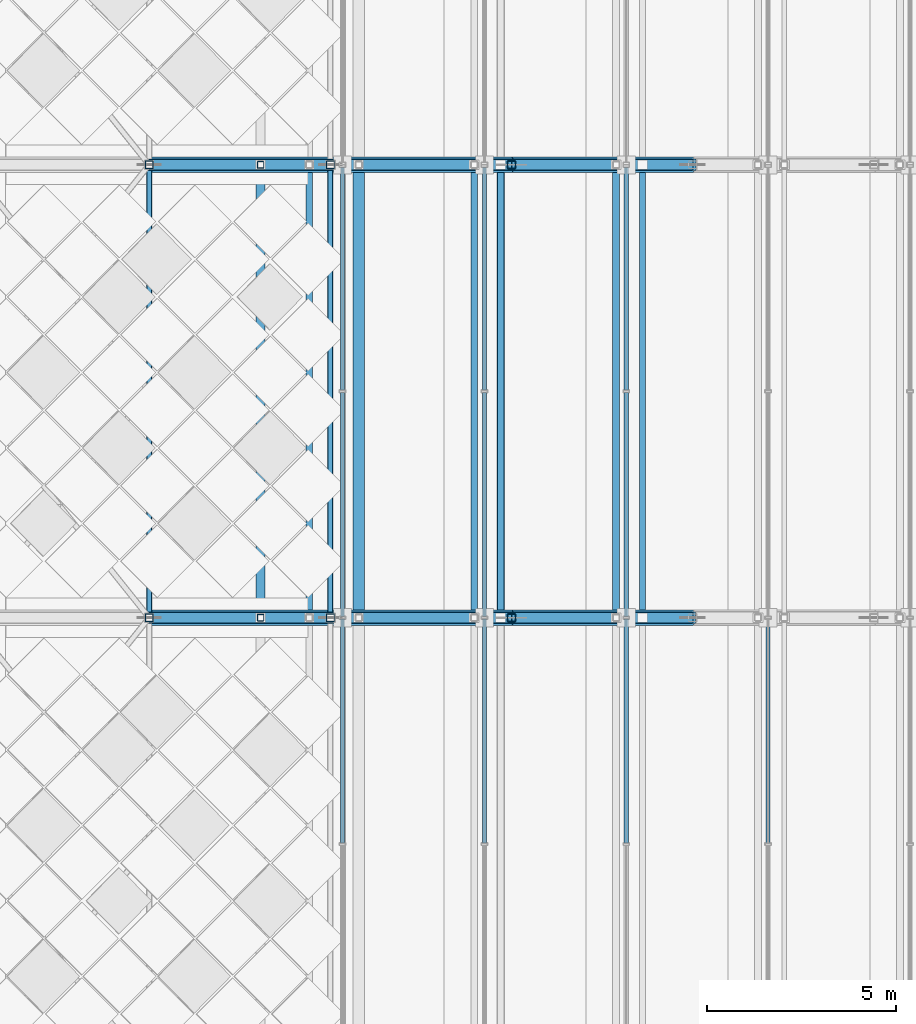
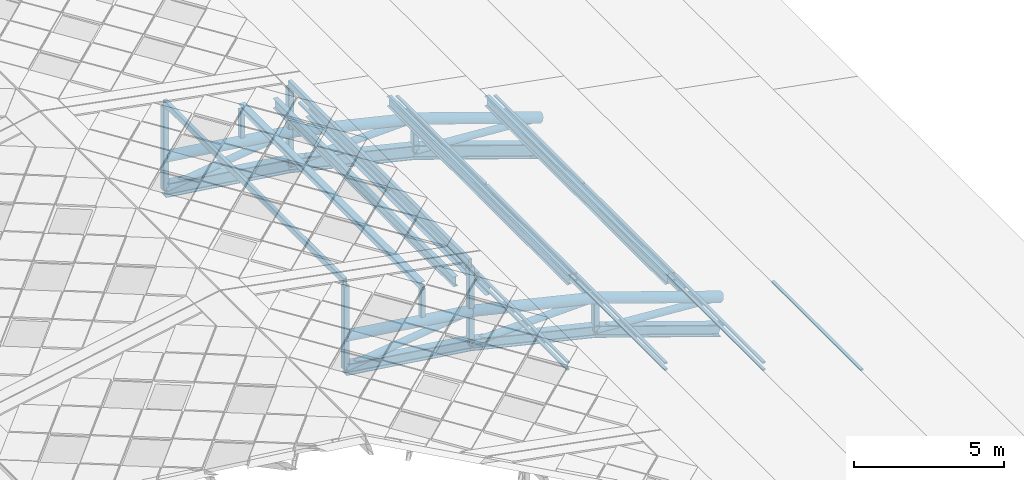
# One storey, part 20 of 117: 54 members, 4 elements without a shape of their own.
"""IFC4 building model written with IfcOpenShell, lengths in metres."""

from ifc_helpers import new_model, si_unit, direction, frame, origin, origin_2d, place, context, subcontext, project, spatial, hollow_rectangle, hollow_circle, i_section, extrude, material, material_profile, profile_set, type_object, element, aggregate, save


model = new_model("IFC4")

# Units and contexts
model_context = context("Model", 3, precision=1e-05, world=origin(), true_north=direction((0.0, 1.0)))
body_context = subcontext(model_context, "Body", "Model", "MODEL_VIEW")
ifc_project = project(units=[si_unit("LENGTHUNIT", "METRE"), si_unit("AREAUNIT", "SQUARE_METRE"), si_unit("VOLUMEUNIT", "CUBIC_METRE"), si_unit("PLANEANGLEUNIT", "RADIAN"), si_unit("MASSUNIT", "GRAM", prefix="KILO")], contexts=[model_context])

# Site, building, storey
site_placement = place(None, origin())
site = spatial("IfcSite", under=ifc_project, at=site_placement, CompositionType="ELEMENT")
building_placement = place(site_placement, origin())
building = spatial("IfcBuilding", under=site, at=building_placement, Name="Merenkruunu Market Hall", CompositionType="ELEMENT")
storey_placement = place(building_placement, frame((0.0, 0.0, 22.800048828125)))
storey = spatial("IfcBuildingStorey", under=building, at=storey_placement, Name="RF", CompositionType="ELEMENT", Elevation=22.800048828125)

# Members
ifc_material_1 = material(Name="Steel S355ML", Category="steel")
ifc_material_profile_1 = material_profile(ifc_material_1, hollow_circle(Radius=0.203125, WallThickness=0.01611328125, at=origin_2d()), Name="CHS 406.4x16")
ifc_profile_set_1 = profile_set([ifc_material_profile_1], Name="Steel S355ML")
member_type_1 = type_object("IfcMemberType", Name="Arch Truss Chord TC02", PredefinedType="CHORD", material=ifc_profile_set_1)
member_1_placement = place(storey_placement, frame((33.60009765625, 51.60009765625, -1.66796875), z_axis=(0.99033759622, 0.0, -0.138677487406), x_axis=(0.0, 1.0, 0.0)))
element("IfcMember", 1, at=member_1_placement, inside=storey, type_object=member_type_1, Name="TRUSS-AT-4-TOP-08", PredefinedType="CHORD", context=body_context, shape_type="SweptSolid", body=[
    extrude(hollow_circle(Radius=0.203125, WallThickness=0.01611328125, at=origin_2d()), origin(), (0.0, 0.0, 1.0), 4.8466796875),
])
member_2_placement = place(storey_placement, frame((38.39990234375, 51.60009765625, -2.340087890625), z_axis=(0.972941974064, 0.0, -0.231049594471), x_axis=(0.0, 1.0, 0.0)))
element("IfcMember", 2, at=member_2_placement, inside=storey, type_object=member_type_1, Name="TRUSS-AT-4-TOP-09", PredefinedType="CHORD", context=body_context, shape_type="SweptSolid", body=[
    extrude(hollow_circle(Radius=0.203125, WallThickness=0.01611328125, at=origin_2d()), origin(), (0.0, 0.0, 1.0), 4.93359375),
])
member_3_placement = place(storey_placement, frame((43.199951171875, 51.60009765625, -3.47998046875), z_axis=(0.946224865418, 0.0, -0.323509666107), x_axis=(0.0, 1.0, 0.0)))
element("IfcMember", 3, at=member_3_placement, inside=storey, type_object=member_type_1, Name="TRUSS-AT-4-TOP-10", PredefinedType="CHORD", context=body_context, shape_type="SweptSolid", body=[
    extrude(hollow_circle(Radius=0.203125, WallThickness=0.01611328125, at=origin_2d()), origin(), (0.0, 0.0, 1.0), 5.07275390625),
])
member_4_placement = place(storey_placement, frame((33.60009765625, 63.60009765625, -1.66796875), z_axis=(0.99033759622, 0.0, -0.138677487406), x_axis=(0.0, 1.0, 0.0)))
element("IfcMember", 4, at=member_4_placement, inside=storey, type_object=member_type_1, Name="TRUSS-AT-5-TOP-08", PredefinedType="CHORD", context=body_context, shape_type="SweptSolid", body=[
    extrude(hollow_circle(Radius=0.203125, WallThickness=0.01611328125, at=origin_2d()), origin(), (0.0, 0.0, 1.0), 4.8466796875),
])
member_5_placement = place(storey_placement, frame((38.39990234375, 63.60009765625, -2.340087890625), z_axis=(0.972941974064, 0.0, -0.231049594471), x_axis=(0.0, 1.0, 0.0)))
element("IfcMember", 5, at=member_5_placement, inside=storey, type_object=member_type_1, Name="TRUSS-AT-5-TOP-09", PredefinedType="CHORD", context=body_context, shape_type="SweptSolid", body=[
    extrude(hollow_circle(Radius=0.203125, WallThickness=0.01611328125, at=origin_2d()), origin(), (0.0, 0.0, 1.0), 4.93359375),
])
member_6_placement = place(storey_placement, frame((43.199951171875, 63.60009765625, -3.47998046875), z_axis=(0.946224865418, 0.0, -0.323509666107), x_axis=(0.0, 1.0, 0.0)))
element("IfcMember", 6, at=member_6_placement, inside=storey, type_object=member_type_1, Name="TRUSS-AT-5-TOP-10", PredefinedType="CHORD", context=body_context, shape_type="SweptSolid", body=[
    extrude(hollow_circle(Radius=0.203125, WallThickness=0.01611328125, at=origin_2d()), origin(), (0.0, 0.0, 1.0), 5.07275390625),
])
ifc_material_profile_2 = material_profile(ifc_material_1, i_section(OverallWidth=0.300048828125, OverallDepth=0.550048828125, WebThickness=0.014892578125, FlangeThickness=0.029052734375, FilletRadius=0.027099609375, at=origin_2d()), Name="HEB 550")
ifc_profile_set_2 = profile_set([ifc_material_profile_2], Name="Steel S355ML")
member_type_2 = type_object("IfcMemberType", Name="Arch Truss Chord TC03", PredefinedType="CHORD", material=ifc_profile_set_2)
member_7_placement = place(storey_placement, frame((33.60009765625, 63.60009765625, -2.968017578125), z_axis=(0.99033759622, 0.0, -0.138677487406), x_axis=(0.0, 1.0, 0.0)))
element("IfcMember", 7, at=member_7_placement, inside=storey, type_object=member_type_2, Name="TRUSS-AT-5-BOT-08", PredefinedType="CHORD", context=body_context, shape_type="SweptSolid", body=[
    extrude(i_section(OverallWidth=0.300048828125, OverallDepth=0.550048828125, WebThickness=0.014892578125, FlangeThickness=0.029052734375, FilletRadius=0.027099609375, at=origin_2d()), origin(), (0.0, 0.0, 1.0), 4.8466796875),
])
member_8_placement = place(storey_placement, frame((38.39990234375, 63.60009765625, -3.64013671875), z_axis=(0.972941974064, 0.0, -0.231049594471), x_axis=(0.0, 1.0, 0.0)))
element("IfcMember", 8, at=member_8_placement, inside=storey, type_object=member_type_2, Name="TRUSS-AT-5-BOT-09", PredefinedType="CHORD", context=body_context, shape_type="SweptSolid", body=[
    extrude(i_section(OverallWidth=0.300048828125, OverallDepth=0.550048828125, WebThickness=0.014892578125, FlangeThickness=0.029052734375, FilletRadius=0.027099609375, at=origin_2d()), origin(), (0.0, 0.0, 1.0), 4.93359375),
])
member_9_placement = place(storey_placement, frame((43.199951171875, 63.60009765625, -4.780029296875), z_axis=(0.946224865418, 0.0, -0.323509666107), x_axis=(0.0, 1.0, 0.0)))
element("IfcMember", 9, at=member_9_placement, inside=storey, type_object=member_type_2, Name="TRUSS-AT-5-BOT-10", PredefinedType="CHORD", context=body_context, shape_type="SweptSolid", body=[
    extrude(i_section(OverallWidth=0.300048828125, OverallDepth=0.550048828125, WebThickness=0.014892578125, FlangeThickness=0.029052734375, FilletRadius=0.027099609375, at=origin_2d()), origin(), (0.0, 0.0, 1.0), 5.07275390625),
])
ifc_material_profile_3 = material_profile(ifc_material_1, i_section(OverallWidth=0.300048828125, OverallDepth=0.449951171875, WebThickness=0.013916015625, FlangeThickness=0.02587890625, FilletRadius=0.027099609375, at=origin_2d()), Name="HEB 450")
ifc_profile_set_3 = profile_set([ifc_material_profile_3], Name="Steel S355ML")
member_type_3 = type_object("IfcMemberType", Name="Arch Truss Chord TC04", PredefinedType="CHORD", material=ifc_profile_set_3)
member_10_placement = place(storey_placement, frame((33.60009765625, 51.60009765625, -2.968017578125), z_axis=(0.99033759622, 0.0, -0.138677487406), x_axis=(0.0, 1.0, 0.0)))
element("IfcMember", 10, at=member_10_placement, inside=storey, type_object=member_type_3, Name="TRUSS-AT-4-BOT-08", PredefinedType="CHORD", context=body_context, shape_type="SweptSolid", body=[
    extrude(i_section(OverallWidth=0.300048828125, OverallDepth=0.449951171875, WebThickness=0.013916015625, FlangeThickness=0.02587890625, FilletRadius=0.027099609375, at=origin_2d()), origin(), (0.0, 0.0, 1.0), 4.8466796875),
])
member_11_placement = place(storey_placement, frame((38.39990234375, 51.60009765625, -3.64013671875), z_axis=(0.972941974064, 0.0, -0.231049594471), x_axis=(0.0, 1.0, 0.0)))
element("IfcMember", 11, at=member_11_placement, inside=storey, type_object=member_type_3, Name="TRUSS-AT-4-BOT-09", PredefinedType="CHORD", context=body_context, shape_type="SweptSolid", body=[
    extrude(i_section(OverallWidth=0.300048828125, OverallDepth=0.449951171875, WebThickness=0.013916015625, FlangeThickness=0.02587890625, FilletRadius=0.027099609375, at=origin_2d()), origin(), (0.0, 0.0, 1.0), 4.93359375),
])
member_12_placement = place(storey_placement, frame((43.199951171875, 51.60009765625, -4.780029296875), z_axis=(0.946224865418, 0.0, -0.323509666107), x_axis=(0.0, 1.0, 0.0)))
element("IfcMember", 12, at=member_12_placement, inside=storey, type_object=member_type_3, Name="TRUSS-AT-4-BOT-10", PredefinedType="CHORD", context=body_context, shape_type="SweptSolid", body=[
    extrude(i_section(OverallWidth=0.300048828125, OverallDepth=0.449951171875, WebThickness=0.013916015625, FlangeThickness=0.02587890625, FilletRadius=0.027099609375, at=origin_2d()), origin(), (0.0, 0.0, 1.0), 5.07275390625),
])

# Curtain wall, member
ifc_material_2 = material(Name="Powder-coated aluminium", Category="aluminium")
curtain_wall_type = type_object("IfcCurtainWallType", Name="Clerestory Curtain Band CL05", PredefinedType="USERDEFINED", material=ifc_material_2)
curtain_wall_1_placement = place(storey_placement, origin())
curtain_wall_1 = element("IfcCurtainWall", 13, at=curtain_wall_1_placement, inside=storey, type_object=curtain_wall_type, Name="CW-RF-CWM04-092", ObjectType="CLERESTORY_BAND", PredefinedType="USERDEFINED")
ifc_material_profile_4 = material_profile(ifc_material_2, hollow_rectangle(XDim=0.06005859375, YDim=0.110107421875, WallThickness=0.00390625, at=origin_2d()), Name="ALU 60x110x4")
ifc_profile_set_4 = profile_set([ifc_material_profile_4], Name="Powder-coated aluminium")
member_type_4 = type_object("IfcMemberType", Name="Curtain Wall Transom CWT03", PredefinedType="USERDEFINED", material=ifc_profile_set_4)
member_13_placement = place(storey_placement, frame((50.0, 51.56494140625, -5.172119140625), z_axis=(0.0, -1.0, 0.0), x_axis=(0.0, 0.0, 1.0)))
member_13 = element("IfcMember", 14, at=member_13_placement, type_object=member_type_4, Name="CL05 transom 3.1", ObjectType="TRANSOM", PredefinedType="USERDEFINED", context=body_context, shape_type="SweptSolid", body=[
    extrude(hollow_rectangle(XDim=0.06005859375, YDim=0.110107421875, WallThickness=0.00390625, at=origin_2d()), origin(), (0.0, 0.0, 1.0), 5.929931640625),
])
aggregate(curtain_wall_1, [member_13])

# Curtain wall, members
curtain_wall_2_placement = place(storey_placement, origin())
curtain_wall_2 = element("IfcCurtainWall", 15, at=curtain_wall_2_placement, inside=storey, type_object=curtain_wall_type, Name="CW-RF-CWM04-100", ObjectType="CLERESTORY_BAND", PredefinedType="USERDEFINED")
member_14_placement = place(storey_placement, frame((46.239990234375, 63.530029296875, -3.85205078125), z_axis=(0.0, -1.0, 0.0), x_axis=(0.0, 0.0, 1.0)))
member_14 = element("IfcMember", 16, at=member_14_placement, type_object=member_type_4, Name="CL05 transom 1.1", ObjectType="TRANSOM", PredefinedType="USERDEFINED", context=body_context, shape_type="SweptSolid", body=[
    extrude(hollow_rectangle(XDim=0.06005859375, YDim=0.110107421875, WallThickness=0.00390625, at=origin_2d()), origin(), (0.0, 0.0, 1.0), 5.89501953125),
])
member_15_placement = place(storey_placement, frame((46.239990234375, 63.530029296875, -3.56396484375), z_axis=(0.0, -1.0, 0.0), x_axis=(0.0, 0.0, 1.0)))
member_15 = element("IfcMember", 17, at=member_15_placement, type_object=member_type_4, Name="CL05 transom 1.2", ObjectType="TRANSOM", PredefinedType="USERDEFINED", context=body_context, shape_type="SweptSolid", body=[
    extrude(hollow_rectangle(XDim=0.06005859375, YDim=0.110107421875, WallThickness=0.00390625, at=origin_2d()), origin(), (0.0, 0.0, 1.0), 5.89501953125),
])
member_16_placement = place(storey_placement, frame((46.239990234375, 57.56494140625, -3.85205078125), z_axis=(0.0, -1.0, 0.0), x_axis=(0.0, 0.0, 1.0)))
member_16 = element("IfcMember", 18, at=member_16_placement, type_object=member_type_4, Name="CL05 transom 2.1", ObjectType="TRANSOM", PredefinedType="USERDEFINED", context=body_context, shape_type="SweptSolid", body=[
    extrude(hollow_rectangle(XDim=0.06005859375, YDim=0.110107421875, WallThickness=0.00390625, at=origin_2d()), origin(), (0.0, 0.0, 1.0), 5.929931640625),
])
member_17_placement = place(storey_placement, frame((46.239990234375, 57.56494140625, -3.56396484375), z_axis=(0.0, -1.0, 0.0), x_axis=(0.0, 0.0, 1.0)))
member_17 = element("IfcMember", 19, at=member_17_placement, type_object=member_type_4, Name="CL05 transom 2.2", ObjectType="TRANSOM", PredefinedType="USERDEFINED", context=body_context, shape_type="SweptSolid", body=[
    extrude(hollow_rectangle(XDim=0.06005859375, YDim=0.110107421875, WallThickness=0.00390625, at=origin_2d()), origin(), (0.0, 0.0, 1.0), 5.929931640625),
])
member_18_placement = place(storey_placement, frame((46.239990234375, 51.56494140625, -3.85205078125), z_axis=(0.0, -1.0, 0.0), x_axis=(0.0, 0.0, 1.0)))
member_18 = element("IfcMember", 20, at=member_18_placement, type_object=member_type_4, Name="CL05 transom 3.1", ObjectType="TRANSOM", PredefinedType="USERDEFINED", context=body_context, shape_type="SweptSolid", body=[
    extrude(hollow_rectangle(XDim=0.06005859375, YDim=0.110107421875, WallThickness=0.00390625, at=origin_2d()), origin(), (0.0, 0.0, 1.0), 5.929931640625),
])
member_19_placement = place(storey_placement, frame((46.239990234375, 51.56494140625, -3.56396484375), z_axis=(0.0, -1.0, 0.0), x_axis=(0.0, 0.0, 1.0)))
member_19 = element("IfcMember", 21, at=member_19_placement, type_object=member_type_4, Name="CL05 transom 3.2", ObjectType="TRANSOM", PredefinedType="USERDEFINED", context=body_context, shape_type="SweptSolid", body=[
    extrude(hollow_rectangle(XDim=0.06005859375, YDim=0.110107421875, WallThickness=0.00390625, at=origin_2d()), origin(), (0.0, 0.0, 1.0), 5.929931640625),
])
aggregate(curtain_wall_2, [member_14, member_15, member_16, member_17, member_18, member_19])

curtain_wall_3_placement = place(storey_placement, origin())
curtain_wall_3 = element("IfcCurtainWall", 22, at=curtain_wall_3_placement, inside=storey, type_object=curtain_wall_type, Name="CW-RF-CWM04-108", ObjectType="CLERESTORY_BAND", PredefinedType="USERDEFINED")
member_20_placement = place(storey_placement, frame((42.47998046875, 63.530029296875, -2.531982421875), z_axis=(0.0, -1.0, 0.0), x_axis=(0.0, 0.0, 1.0)))
member_20 = element("IfcMember", 23, at=member_20_placement, type_object=member_type_4, Name="CL05 transom 1.1", ObjectType="TRANSOM", PredefinedType="USERDEFINED", context=body_context, shape_type="SweptSolid", body=[
    extrude(hollow_rectangle(XDim=0.06005859375, YDim=0.110107421875, WallThickness=0.00390625, at=origin_2d()), origin(), (0.0, 0.0, 1.0), 5.89501953125),
])
member_21_placement = place(storey_placement, frame((42.47998046875, 63.530029296875, -2.26513671875), z_axis=(0.0, -1.0, 0.0), x_axis=(0.0, 0.0, 1.0)))
member_21 = element("IfcMember", 24, at=member_21_placement, type_object=member_type_4, Name="CL05 transom 1.2", ObjectType="TRANSOM", PredefinedType="USERDEFINED", context=body_context, shape_type="SweptSolid", body=[
    extrude(hollow_rectangle(XDim=0.06005859375, YDim=0.110107421875, WallThickness=0.00390625, at=origin_2d()), origin(), (0.0, 0.0, 1.0), 5.89501953125),
])
member_22_placement = place(storey_placement, frame((42.47998046875, 57.56494140625, -2.531982421875), z_axis=(0.0, -1.0, 0.0), x_axis=(0.0, 0.0, 1.0)))
member_22 = element("IfcMember", 25, at=member_22_placement, type_object=member_type_4, Name="CL05 transom 2.1", ObjectType="TRANSOM", PredefinedType="USERDEFINED", context=body_context, shape_type="SweptSolid", body=[
    extrude(hollow_rectangle(XDim=0.06005859375, YDim=0.110107421875, WallThickness=0.00390625, at=origin_2d()), origin(), (0.0, 0.0, 1.0), 5.929931640625),
])
member_23_placement = place(storey_placement, frame((42.47998046875, 57.56494140625, -2.26513671875), z_axis=(0.0, -1.0, 0.0), x_axis=(0.0, 0.0, 1.0)))
member_23 = element("IfcMember", 26, at=member_23_placement, type_object=member_type_4, Name="CL05 transom 2.2", ObjectType="TRANSOM", PredefinedType="USERDEFINED", context=body_context, shape_type="SweptSolid", body=[
    extrude(hollow_rectangle(XDim=0.06005859375, YDim=0.110107421875, WallThickness=0.00390625, at=origin_2d()), origin(), (0.0, 0.0, 1.0), 5.929931640625),
])
member_24_placement = place(storey_placement, frame((42.47998046875, 51.56494140625, -2.531982421875), z_axis=(0.0, -1.0, 0.0), x_axis=(0.0, 0.0, 1.0)))
member_24 = element("IfcMember", 27, at=member_24_placement, type_object=member_type_4, Name="CL05 transom 3.1", ObjectType="TRANSOM", PredefinedType="USERDEFINED", context=body_context, shape_type="SweptSolid", body=[
    extrude(hollow_rectangle(XDim=0.06005859375, YDim=0.110107421875, WallThickness=0.00390625, at=origin_2d()), origin(), (0.0, 0.0, 1.0), 5.929931640625),
])
member_25_placement = place(storey_placement, frame((42.47998046875, 51.56494140625, -2.26513671875), z_axis=(0.0, -1.0, 0.0), x_axis=(0.0, 0.0, 1.0)))
member_25 = element("IfcMember", 28, at=member_25_placement, type_object=member_type_4, Name="CL05 transom 3.2", ObjectType="TRANSOM", PredefinedType="USERDEFINED", context=body_context, shape_type="SweptSolid", body=[
    extrude(hollow_rectangle(XDim=0.06005859375, YDim=0.110107421875, WallThickness=0.00390625, at=origin_2d()), origin(), (0.0, 0.0, 1.0), 5.929931640625),
])
aggregate(curtain_wall_3, [member_20, member_21, member_22, member_23, member_24, member_25])

curtain_wall_4_placement = place(storey_placement, origin())
curtain_wall_4 = element("IfcCurtainWall", 29, at=curtain_wall_4_placement, inside=storey, type_object=curtain_wall_type, Name="CW-RF-CWM04-116", ObjectType="CLERESTORY_BAND", PredefinedType="USERDEFINED")
member_26_placement = place(storey_placement, frame((38.719970703125, 63.530029296875, -1.212158203125), z_axis=(0.0, -1.0, 0.0), x_axis=(0.0, 0.0, 1.0)))
member_26 = element("IfcMember", 30, at=member_26_placement, type_object=member_type_4, Name="CL05 transom 1.1", ObjectType="TRANSOM", PredefinedType="USERDEFINED", context=body_context, shape_type="SweptSolid", body=[
    extrude(hollow_rectangle(XDim=0.06005859375, YDim=0.110107421875, WallThickness=0.00390625, at=origin_2d()), origin(), (0.0, 0.0, 1.0), 5.89501953125),
])
member_27_placement = place(storey_placement, frame((38.719970703125, 63.530029296875, -0.924072265625), z_axis=(0.0, -1.0, 0.0), x_axis=(0.0, 0.0, 1.0)))
member_27 = element("IfcMember", 31, at=member_27_placement, type_object=member_type_4, Name="CL05 transom 1.2", ObjectType="TRANSOM", PredefinedType="USERDEFINED", context=body_context, shape_type="SweptSolid", body=[
    extrude(hollow_rectangle(XDim=0.06005859375, YDim=0.110107421875, WallThickness=0.00390625, at=origin_2d()), origin(), (0.0, 0.0, 1.0), 5.89501953125),
])
member_28_placement = place(storey_placement, frame((38.719970703125, 57.56494140625, -1.212158203125), z_axis=(0.0, -1.0, 0.0), x_axis=(0.0, 0.0, 1.0)))
member_28 = element("IfcMember", 32, at=member_28_placement, type_object=member_type_4, Name="CL05 transom 2.1", ObjectType="TRANSOM", PredefinedType="USERDEFINED", context=body_context, shape_type="SweptSolid", body=[
    extrude(hollow_rectangle(XDim=0.06005859375, YDim=0.110107421875, WallThickness=0.00390625, at=origin_2d()), origin(), (0.0, 0.0, 1.0), 5.929931640625),
])
member_29_placement = place(storey_placement, frame((38.719970703125, 57.56494140625, -0.924072265625), z_axis=(0.0, -1.0, 0.0), x_axis=(0.0, 0.0, 1.0)))
member_29 = element("IfcMember", 33, at=member_29_placement, type_object=member_type_4, Name="CL05 transom 2.2", ObjectType="TRANSOM", PredefinedType="USERDEFINED", context=body_context, shape_type="SweptSolid", body=[
    extrude(hollow_rectangle(XDim=0.06005859375, YDim=0.110107421875, WallThickness=0.00390625, at=origin_2d()), origin(), (0.0, 0.0, 1.0), 5.929931640625),
])
member_30_placement = place(storey_placement, frame((38.719970703125, 51.56494140625, -1.212158203125), z_axis=(0.0, -1.0, 0.0), x_axis=(0.0, 0.0, 1.0)))
member_30 = element("IfcMember", 34, at=member_30_placement, type_object=member_type_4, Name="CL05 transom 3.1", ObjectType="TRANSOM", PredefinedType="USERDEFINED", context=body_context, shape_type="SweptSolid", body=[
    extrude(hollow_rectangle(XDim=0.06005859375, YDim=0.110107421875, WallThickness=0.00390625, at=origin_2d()), origin(), (0.0, 0.0, 1.0), 5.929931640625),
])
member_31_placement = place(storey_placement, frame((38.719970703125, 51.56494140625, -0.924072265625), z_axis=(0.0, -1.0, 0.0), x_axis=(0.0, 0.0, 1.0)))
member_31 = element("IfcMember", 35, at=member_31_placement, type_object=member_type_4, Name="CL05 transom 3.2", ObjectType="TRANSOM", PredefinedType="USERDEFINED", context=body_context, shape_type="SweptSolid", body=[
    extrude(hollow_rectangle(XDim=0.06005859375, YDim=0.110107421875, WallThickness=0.00390625, at=origin_2d()), origin(), (0.0, 0.0, 1.0), 5.929931640625),
])
aggregate(curtain_wall_4, [member_26, member_27, member_28, member_29, member_30, member_31])

# Members
ifc_material_profile_5 = material_profile(ifc_material_1, hollow_circle(Radius=0.136474609375, WallThickness=0.012451171875, at=origin_2d()), Name="CHS 273x12.5")
ifc_profile_set_5 = profile_set([ifc_material_profile_5], Name="Steel S355ML")
member_type_5 = type_object("IfcMemberType", Name="Diagonal Sway Brace BR02", PredefinedType="BRACE", material=ifc_profile_set_5)
member_32_placement = place(storey_placement, frame((33.60009765625, 51.60009765625, -2.968017578125), z_axis=(0.99155084109, 0.0, 0.129718655304), x_axis=(0.0, 1.0, 0.0)))
element("IfcMember", 36, at=member_32_placement, inside=storey, type_object=member_type_5, Name="TRUSS-AT-4-DIAG-08", PredefinedType="BRACE", context=body_context, shape_type="SweptSolid", body=[
    extrude(hollow_circle(Radius=0.136474609375, WallThickness=0.012451171875, at=origin_2d()), origin(), (0.0, 0.0, 1.0), 4.8408203125),
])
member_33_placement = place(storey_placement, frame((38.39990234375, 51.60009765625, -3.64013671875), z_axis=(0.999443834494, 0.0, 0.033346989239), x_axis=(0.0, 1.0, 0.0)))
element("IfcMember", 37, at=member_33_placement, inside=storey, type_object=member_type_5, Name="TRUSS-AT-4-DIAG-09", PredefinedType="BRACE", context=body_context, shape_type="SweptSolid", body=[
    extrude(hollow_circle(Radius=0.136474609375, WallThickness=0.012451171875, at=origin_2d()), origin(), (0.0, 0.0, 1.0), 4.802734375),
])
member_34_placement = place(storey_placement, frame((43.199951171875, 51.60009765625, -4.780029296875), z_axis=(0.997485156704, 0.0, -0.070875680989), x_axis=(0.0, 1.0, 0.0)))
element("IfcMember", 38, at=member_34_placement, inside=storey, type_object=member_type_5, Name="TRUSS-AT-4-DIAG-10", PredefinedType="BRACE", context=body_context, shape_type="SweptSolid", body=[
    extrude(hollow_circle(Radius=0.136474609375, WallThickness=0.012451171875, at=origin_2d()), origin(), (0.0, 0.0, 1.0), 4.812255859375),
])
member_35_placement = place(storey_placement, frame((33.60009765625, 63.60009765625, -2.968017578125), z_axis=(0.99155084109, 0.0, 0.129718655304), x_axis=(0.0, 1.0, 0.0)))
element("IfcMember", 39, at=member_35_placement, inside=storey, type_object=member_type_5, Name="TRUSS-AT-5-DIAG-08", PredefinedType="BRACE", context=body_context, shape_type="SweptSolid", body=[
    extrude(hollow_circle(Radius=0.136474609375, WallThickness=0.012451171875, at=origin_2d()), origin(), (0.0, 0.0, 1.0), 4.8408203125),
])
member_36_placement = place(storey_placement, frame((38.39990234375, 63.60009765625, -3.64013671875), z_axis=(0.999443834494, 0.0, 0.033346989239), x_axis=(0.0, 1.0, 0.0)))
element("IfcMember", 40, at=member_36_placement, inside=storey, type_object=member_type_5, Name="TRUSS-AT-5-DIAG-09", PredefinedType="BRACE", context=body_context, shape_type="SweptSolid", body=[
    extrude(hollow_circle(Radius=0.136474609375, WallThickness=0.012451171875, at=origin_2d()), origin(), (0.0, 0.0, 1.0), 4.802734375),
])
member_37_placement = place(storey_placement, frame((43.199951171875, 63.60009765625, -4.780029296875), z_axis=(0.997485156704, 0.0, -0.070875680989), x_axis=(0.0, 1.0, 0.0)))
element("IfcMember", 41, at=member_37_placement, inside=storey, type_object=member_type_5, Name="TRUSS-AT-5-DIAG-10", PredefinedType="BRACE", context=body_context, shape_type="SweptSolid", body=[
    extrude(hollow_circle(Radius=0.136474609375, WallThickness=0.012451171875, at=origin_2d()), origin(), (0.0, 0.0, 1.0), 4.812255859375),
])
ifc_material_3 = material(Name="Steel S355J2", Category="steel")
ifc_material_profile_6 = material_profile(ifc_material_3, hollow_rectangle(XDim=0.219970703125, YDim=0.219970703125, WallThickness=0.012451171875, InnerFilletRadius=0.012451171875, OuterFilletRadius=0.02490234375, at=origin_2d()), Name="SHS 220x220x12.5")
ifc_profile_set_6 = profile_set([ifc_material_profile_6], Name="Steel S355J2")
member_type_6 = type_object("IfcMemberType", Name="Diagonal Sway Brace BR04", PredefinedType="BRACE", material=ifc_profile_set_6)
member_38_placement = place(storey_placement, frame((33.60009765625, 51.60009765625, -2.968017578125), z_axis=(0.0, 0.0, 1.0), x_axis=(1.0, 0.0, 0.0)))
element("IfcMember", 42, at=member_38_placement, inside=storey, type_object=member_type_6, Name="TRUSS-AT-4-POST-07", PredefinedType="BRACE", context=body_context, shape_type="SweptSolid", body=[
    extrude(hollow_rectangle(XDim=0.219970703125, YDim=0.219970703125, WallThickness=0.012451171875, InnerFilletRadius=0.012451171875, OuterFilletRadius=0.02490234375, at=origin_2d()), origin(), (0.0, 0.0, 1.0), 3.3720703125),
])
member_39_placement = place(storey_placement, frame((38.39990234375, 51.60009765625, -3.64013671875), z_axis=(0.0, 0.0, 1.0), x_axis=(1.0, 0.0, 0.0)))
element("IfcMember", 43, at=member_39_placement, inside=storey, type_object=member_type_6, Name="TRUSS-AT-4-POST-08", PredefinedType="BRACE", context=body_context, shape_type="SweptSolid", body=[
    extrude(hollow_rectangle(XDim=0.219970703125, YDim=0.219970703125, WallThickness=0.012451171875, InnerFilletRadius=0.012451171875, OuterFilletRadius=0.02490234375, at=origin_2d()), origin(), (0.0, 0.0, 1.0), 3.1416015625),
])
member_40_placement = place(storey_placement, frame((43.199951171875, 51.60009765625, -4.780029296875), z_axis=(0.0, 0.0, 1.0), x_axis=(1.0, 0.0, 0.0)))
element("IfcMember", 44, at=member_40_placement, inside=storey, type_object=member_type_6, Name="TRUSS-AT-4-POST-09", PredefinedType="BRACE", context=body_context, shape_type="SweptSolid", body=[
    extrude(hollow_rectangle(XDim=0.219970703125, YDim=0.219970703125, WallThickness=0.012451171875, InnerFilletRadius=0.012451171875, OuterFilletRadius=0.02490234375, at=origin_2d()), origin(), (0.0, 0.0, 1.0), 1.300048828125),
])
member_41_placement = place(storey_placement, frame((33.60009765625, 63.60009765625, -2.968017578125), z_axis=(0.0, 0.0, 1.0), x_axis=(1.0, 0.0, 0.0)))
element("IfcMember", 45, at=member_41_placement, inside=storey, type_object=member_type_6, Name="TRUSS-AT-5-POST-07", PredefinedType="BRACE", context=body_context, shape_type="SweptSolid", body=[
    extrude(hollow_rectangle(XDim=0.219970703125, YDim=0.219970703125, WallThickness=0.012451171875, InnerFilletRadius=0.012451171875, OuterFilletRadius=0.02490234375, at=origin_2d()), origin(), (0.0, 0.0, 1.0), 3.3720703125),
])
member_42_placement = place(storey_placement, frame((38.39990234375, 63.60009765625, -3.64013671875), z_axis=(0.0, 0.0, 1.0), x_axis=(1.0, 0.0, 0.0)))
element("IfcMember", 46, at=member_42_placement, inside=storey, type_object=member_type_6, Name="TRUSS-AT-5-POST-08", PredefinedType="BRACE", context=body_context, shape_type="SweptSolid", body=[
    extrude(hollow_rectangle(XDim=0.219970703125, YDim=0.219970703125, WallThickness=0.012451171875, InnerFilletRadius=0.012451171875, OuterFilletRadius=0.02490234375, at=origin_2d()), origin(), (0.0, 0.0, 1.0), 3.1416015625),
])
member_43_placement = place(storey_placement, frame((43.199951171875, 63.60009765625, -4.780029296875), z_axis=(0.0, 0.0, 1.0), x_axis=(1.0, 0.0, 0.0)))
element("IfcMember", 47, at=member_43_placement, inside=storey, type_object=member_type_6, Name="TRUSS-AT-5-POST-09", PredefinedType="BRACE", context=body_context, shape_type="SweptSolid", body=[
    extrude(hollow_rectangle(XDim=0.219970703125, YDim=0.219970703125, WallThickness=0.012451171875, InnerFilletRadius=0.012451171875, OuterFilletRadius=0.02490234375, at=origin_2d()), origin(), (0.0, 0.0, 1.0), 1.300048828125),
])
ifc_material_profile_7 = material_profile(ifc_material_3, hollow_rectangle(XDim=0.179931640625, YDim=0.179931640625, WallThickness=0.010009765625, InnerFilletRadius=0.010009765625, OuterFilletRadius=0.02001953125, at=origin_2d()), Name="SHS 180x180x10")
ifc_profile_set_7 = profile_set([ifc_material_profile_7], Name="Steel S355J2")
member_type_7 = type_object("IfcMemberType", Name="Diagonal Sway Brace BR05", PredefinedType="BRACE", material=ifc_profile_set_7)
for number, where, z_axis, x_axis, name in (
    (48, (36.550048828125, 51.60009765625, -1.889892578125), (0.0, 0.0, 1.0), (1.0, 0.0, 0.0), "TRUSS-AT-4-RISER-E6-2"),
    (49, (36.550048828125, 63.60009765625, -1.889892578125), (0.0, 0.0, 1.0), (1.0, 0.0, 0.0), "TRUSS-AT-5-RISER-E6-2"),
):
    element("IfcMember", number, at=place(storey_placement, frame(where, z_axis=z_axis, x_axis=x_axis)), inside=storey, type_object=member_type_7, Name=name, PredefinedType="BRACE", context=body_context, shape_type="SweptSolid", body=[
        extrude(hollow_rectangle(XDim=0.179931640625, YDim=0.179931640625, WallThickness=0.010009765625, InnerFilletRadius=0.010009765625, OuterFilletRadius=0.02001953125, at=origin_2d()), origin(), (0.0, 0.0, 1.0), 1.12841796875),
    ])
ifc_material_profile_8 = material_profile(ifc_material_1, i_section(OverallWidth=0.169921875, OverallDepth=0.360107421875, WebThickness=0.008056640625, FlangeThickness=0.0126953125, FilletRadius=0.01806640625, at=origin_2d()), Name="IPE 360")
ifc_profile_set_8 = profile_set([ifc_material_profile_8], Name="Steel S355ML")
member_type_8 = type_object("IfcMemberType", Name="Roof Purlin Rafter PR03", PredefinedType="PURLIN", material=ifc_profile_set_8)
member_44_placement = place(storey_placement, frame((46.669921875, 51.60009765625, -4.452392578125), z_axis=(0.0, 1.0, 0.0), x_axis=(-1.0, 0.0, 0.0)))
element("IfcMember", 50, at=member_44_placement, inside=storey, type_object=member_type_8, Name="MEM-RF-PURL-E-088", PredefinedType="PURLIN", context=body_context, shape_type="SweptSolid", body=[
    extrude(i_section(OverallWidth=0.169921875, OverallDepth=0.360107421875, WebThickness=0.008056640625, FlangeThickness=0.0126953125, FilletRadius=0.01806640625, at=origin_2d()), origin(), (0.0, 0.0, 1.0), 12.0),
])
ifc_material_profile_9 = material_profile(ifc_material_1, hollow_rectangle(XDim=0.14990234375, YDim=0.25, WallThickness=0.010009765625, InnerFilletRadius=0.010009765625, OuterFilletRadius=0.02001953125, at=origin_2d()), Name="RHS 250x150x10")
ifc_profile_set_9 = profile_set([ifc_material_profile_9], Name="Steel S355ML")
member_type_9 = type_object("IfcMemberType", Name="Roof Purlin Rafter PR04", PredefinedType="PURLIN", material=ifc_profile_set_9)
for number, where, z_axis, x_axis, name in (
    (51, (38.39990234375, 51.60009765625, -0.35546875), (0.0, 1.0, 0.0), (-1.0, 0.0, 0.0), "MEM-CROWN-EAVE-047"),
    (52, (33.60009765625, 51.60009765625, 0.546875), (0.0, 1.0, 0.0), (-1.0, 0.0, 0.0), "MEM-CROWN-MID-048"),
):
    element("IfcMember", number, at=place(storey_placement, frame(where, z_axis=z_axis, x_axis=x_axis)), inside=storey, type_object=member_type_9, Name=name, PredefinedType="PURLIN", context=body_context, shape_type="SweptSolid", body=[
        extrude(hollow_rectangle(XDim=0.14990234375, YDim=0.25, WallThickness=0.010009765625, InnerFilletRadius=0.010009765625, OuterFilletRadius=0.02001953125, at=origin_2d()), origin(), (0.0, 0.0, 1.0), 12.0),
    ])
ifc_material_profile_10 = material_profile(ifc_material_1, hollow_rectangle(XDim=0.199951171875, YDim=0.35009765625, WallThickness=0.012451171875, InnerFilletRadius=0.012451171875, OuterFilletRadius=0.02490234375, at=origin_2d()), Name="RHS 350x200x12.5")
ifc_profile_set_10 = profile_set([ifc_material_profile_10], Name="Steel S355ML")
member_type_10 = type_object("IfcMemberType", Name="Roof Purlin Rafter PR06", PredefinedType="PURLIN", material=ifc_profile_set_10)
member_45_placement = place(storey_placement, frame((42.909912109375, 51.60009765625, -3.10986328125), z_axis=(0.0, 1.0, 0.0), x_axis=(-1.0, 0.0, 0.0)))
element("IfcMember", 53, at=member_45_placement, inside=storey, type_object=member_type_10, Name="MEM-RF-PURL-E-120", PredefinedType="PURLIN", context=body_context, shape_type="SweptSolid", body=[
    extrude(hollow_rectangle(XDim=0.199951171875, YDim=0.35009765625, WallThickness=0.012451171875, InnerFilletRadius=0.012451171875, OuterFilletRadius=0.02490234375, at=origin_2d()), origin(), (0.0, 0.0, 1.0), 12.0),
])
ifc_material_profile_11 = material_profile(ifc_material_1, i_section(OverallWidth=0.300048828125, OverallDepth=0.2900390625, WebThickness=0.008544921875, FlangeThickness=0.013916015625, FilletRadius=0.027099609375, at=origin_2d()), Name="HEA 300")
ifc_profile_set_11 = profile_set([ifc_material_profile_11], Name="Steel S355ML")
member_type_11 = type_object("IfcMemberType", Name="Roof Purlin Rafter PR07", PredefinedType="PURLIN", material=ifc_profile_set_11)
member_46_placement = place(storey_placement, frame((39.14990234375, 51.60009765625, -1.789306640625), z_axis=(0.0, 1.0, 0.0), x_axis=(-1.0, 0.0, 0.0)))
element("IfcMember", 54, at=member_46_placement, inside=storey, type_object=member_type_11, Name="MEM-RF-PURL-E-152", PredefinedType="PURLIN", context=body_context, shape_type="SweptSolid", body=[
    extrude(i_section(OverallWidth=0.300048828125, OverallDepth=0.2900390625, WebThickness=0.008544921875, FlangeThickness=0.013916015625, FilletRadius=0.027099609375, at=origin_2d()), origin(), (0.0, 0.0, 1.0), 12.0),
])
ifc_material_profile_12 = material_profile(ifc_material_1, i_section(OverallWidth=0.239990234375, OverallDepth=0.22998046875, WebThickness=0.007568359375, FlangeThickness=0.011962890625, FilletRadius=0.02099609375, at=origin_2d()), Name="HEA 240")
ifc_profile_set_12 = profile_set([ifc_material_profile_12], Name="Steel S355ML")
member_type_12 = type_object("IfcMemberType", Name="Roof Purlin Rafter PR08", PredefinedType="PURLIN", material=ifc_profile_set_12)
member_47_placement = place(storey_placement, frame((36.550048828125, 51.60009765625, -0.62841796875), z_axis=(0.0, 1.0, 0.0), x_axis=(-1.0, 0.0, 0.0)))
element("IfcMember", 55, at=member_47_placement, inside=storey, type_object=member_type_12, Name="MEM-RF-PURL-E-184", PredefinedType="PURLIN", context=body_context, shape_type="SweptSolid", body=[
    extrude(i_section(OverallWidth=0.239990234375, OverallDepth=0.22998046875, WebThickness=0.007568359375, FlangeThickness=0.011962890625, FilletRadius=0.02099609375, at=origin_2d()), origin(), (0.0, 0.0, 1.0), 12.0),
])
ifc_material_profile_13 = material_profile(ifc_material_1, i_section(OverallWidth=0.179931640625, OverallDepth=0.39990234375, WebThickness=0.008544921875, FlangeThickness=0.013427734375, FilletRadius=0.02099609375, at=origin_2d()), Name="IPE 400")
ifc_profile_set_13 = profile_set([ifc_material_profile_13], Name="Steel S355ML")
member_type_13 = type_object("IfcMemberType", Name="Roof Purlin Rafter PR09", PredefinedType="PURLIN", material=ifc_profile_set_13)
for number, where, z_axis, x_axis, name in (
    (56, (45.969970703125, 51.60009765625, -3.699951171875), (0.0, 1.0, 0.0), (-1.0, 0.0, 0.0), "MEM-RF-PURL-E-104"),
    (57, (42.2099609375, 51.60009765625, -2.400390625), (0.0, 1.0, 0.0), (-1.0, 0.0, 0.0), "MEM-RF-PURL-E-136"),
    (58, (37.840087890625, 51.60009765625, -0.947021484375), (0.0, 1.0, 0.0), (-1.0, 0.0, 0.0), "MEM-RF-PURL-E-168"),
):
    element("IfcMember", number, at=place(storey_placement, frame(where, z_axis=z_axis, x_axis=x_axis)), inside=storey, type_object=member_type_13, Name=name, PredefinedType="PURLIN", context=body_context, shape_type="SweptSolid", body=[
        extrude(i_section(OverallWidth=0.179931640625, OverallDepth=0.39990234375, WebThickness=0.008544921875, FlangeThickness=0.013427734375, FilletRadius=0.02099609375, at=origin_2d()), origin(), (0.0, 0.0, 1.0), 12.0),
    ])

save(model, "model.ifc")
